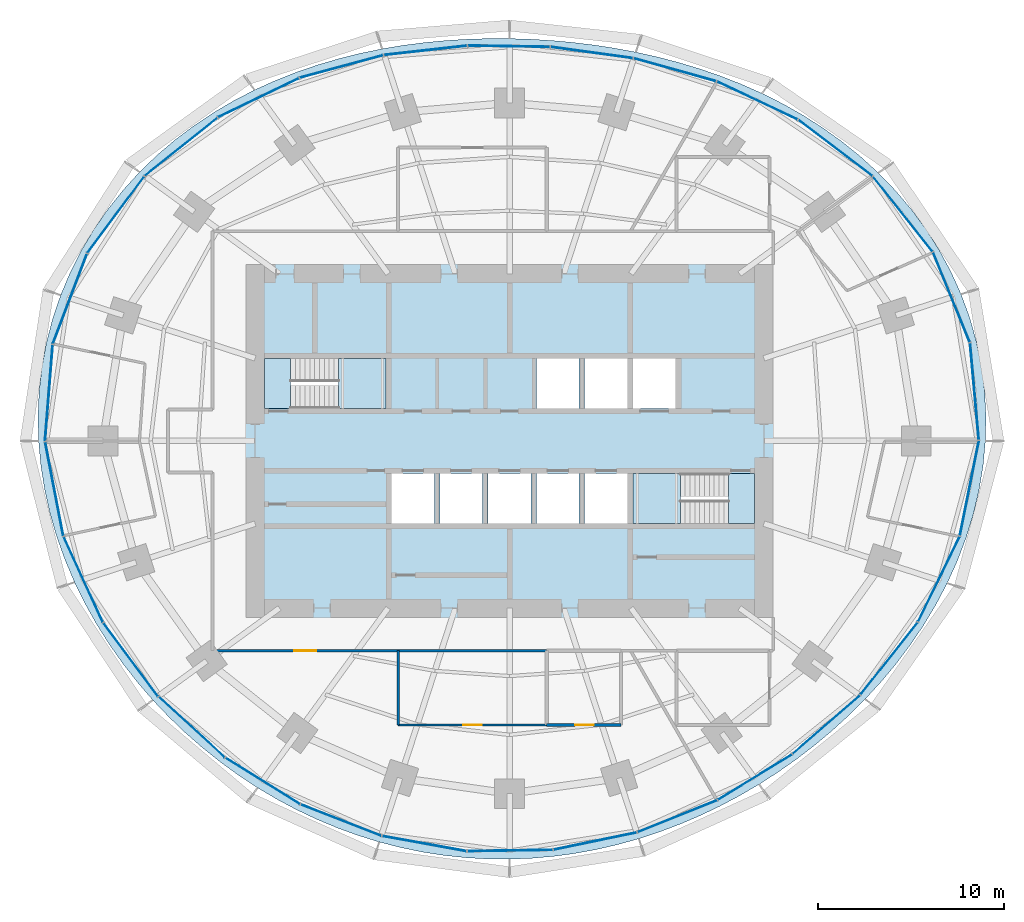
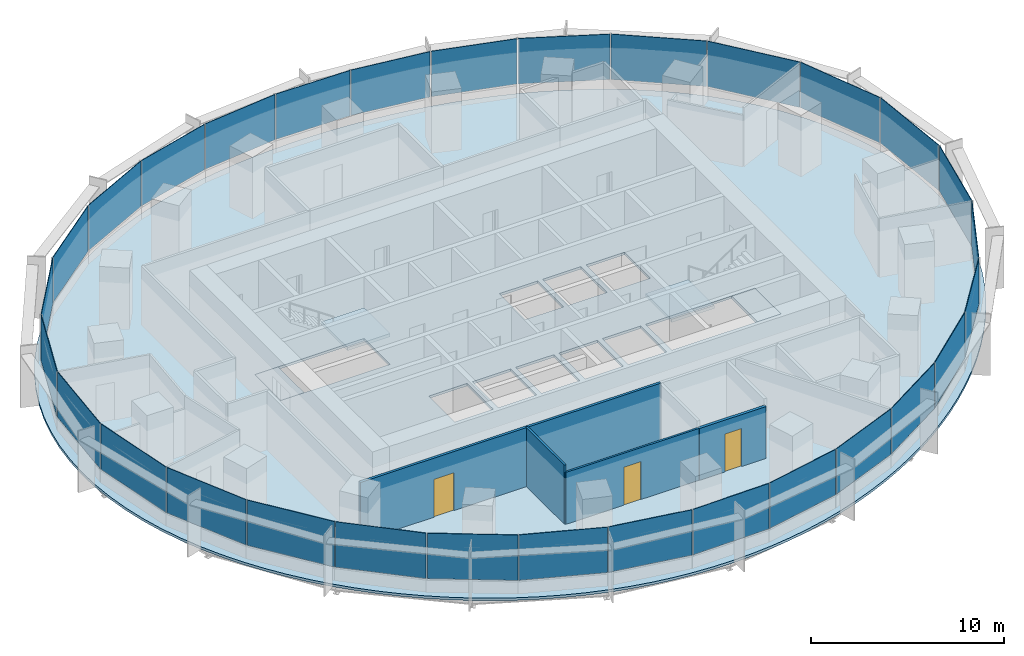
# One storey, part 9 of 14: 30 plates, 5 slabs, 4 walls, 3 doors, 3 openings, 8 elements without a shape of their own.
"""IFC4 building model written with IfcOpenShell, lengths in metres."""

from ifc_helpers import new_model, si_unit, direction, frame, frame_2d, origin, origin_2d, place, context, subcontext, project, spatial, polyline, rectangle, outline, extrude, material, layer, layer_set, type_object, element, fill, aggregate, save


model = new_model("IFC4")

# Units and contexts
model_context = context("Model", 3, precision=1e-05, world=origin(), true_north=direction((0.0, 1.0)))
body_context = subcontext(model_context, "Body", "Model", "MODEL_VIEW")
ifc_project = project(units=[si_unit("LENGTHUNIT", "METRE"), si_unit("AREAUNIT", "SQUARE_METRE"), si_unit("VOLUMEUNIT", "CUBIC_METRE"), si_unit("PLANEANGLEUNIT", "RADIAN"), si_unit("MASSUNIT", "GRAM", prefix="KILO")], contexts=[model_context])

# Site, building, storey
site_placement = place(None, origin())
site = spatial("IfcSite", under=ifc_project, at=site_placement, CompositionType="ELEMENT")
building_placement = place(site_placement, origin())
building = spatial("IfcBuilding", under=site, at=building_placement, Name="Marramba Exchange Tower", CompositionType="ELEMENT")
storey_placement = place(building_placement, frame((0.0, 0.0, 147.0)))
storey = spatial("IfcBuildingStorey", under=building, at=storey_placement, Name="L35", CompositionType="ELEMENT", Elevation=147.0)

# Slab
ifc_material_1 = material(Name="Concrete N40", Category="concrete")
ifc_layer_1 = layer(ifc_material_1, 0.159912109375)
ifc_layer_set_1 = layer_set([ifc_layer_1], Name="Composite floor slab 160")
slab_type_1 = type_object("IfcSlabType", Name="Composite floor slab 160", PredefinedType="FLOOR", material=ifc_layer_set_1)
slab_1_placement = place(storey_placement, frame((0.0, 0.0, -0.159912109375)))
element("IfcSlab", 1, at=slab_1_placement, inside=storey, type_object=slab_type_1, Name="Floor slab L35", PredefinedType="FLOOR", context=body_context, shape_type="SweptSolid", body=[
    extrude(outline(polyline([(25.632080078125, 0.0), (25.66064453125, 1.3447265625), (25.59033203125, 2.689697265625), (25.420166015625, 4.026123046875), (25.15087890625, 5.345947265625), (24.7841796875, 6.640869140625), (24.322998046875, 7.903076171875), (23.771484375, 9.125), (23.135009765625, 10.30029296875), (22.419677734375, 11.42333984375), (21.632080078125, 12.4892578125), (20.779541015625, 13.494384765625), (19.869384765625, 14.43603515625), (18.9091796875, 15.3125), (17.90625, 16.122802734375), (16.86767578125, 16.86767578125), (15.800048828125, 17.5478515625), (14.70947265625, 18.164794921875), (13.6015625, 18.720947265625), (12.48095703125, 19.218994140625), (11.3515625, 19.66162109375), (10.217041015625, 20.05224609375), (9.079833984375, 20.393798828125), (7.94189453125, 20.689453125), (6.804443359375, 20.942138671875), (5.668212890625, 21.154296875), (4.533447265625, 21.328369140625), (3.39990234375, 21.46630859375), (2.26708984375, 21.5693359375), (1.134033203125, 21.63818359375), (0.0, 21.673095703125), (-1.135986328125, 21.673828125), (-2.2744140625, 21.6396484375), (-3.416259765625, 21.5693359375), (-4.5615234375, 21.460693359375), (-5.71044921875, 21.31201171875), (-6.8623046875, 21.1201171875), (-8.01611328125, 20.8828125), (-9.170166015625, 20.5966796875), (-10.322509765625, 20.2587890625), (-11.4697265625, 19.8662109375), (-12.60888671875, 19.415771484375), (-13.7353515625, 18.905029296875), (-14.8447265625, 18.331787109375), (-15.931640625, 17.69384765625), (-16.989990234375, 16.989990234375), (-18.013916015625, 16.2197265625), (-18.996826171875, 15.38330078125), (-19.931884765625, 14.4814453125), (-20.8125, 13.515869140625), (-21.632080078125, 12.4892578125), (-22.384033203125, 11.4052734375), (-23.0625, 10.26806640625), (-23.661865234375, 9.0830078125), (-24.177734375, 7.855712890625), (-24.605712890625, 6.593017578125), (-24.943603515625, 5.302001953125), (-25.18896484375, 3.989501953125), (-25.341064453125, 2.663330078125), (-25.400390625, 1.3310546875), (-25.367919921875, 0.0), (-25.246337890625, -1.322998046875), (-25.038818359375, -2.631591796875), (-24.748779296875, -3.919921875), (-24.381103515625, -5.182373046875), (-23.940185546875, -6.414794921875), (-23.431396484375, -7.61328125), (-22.859130859375, -8.77490234375), (-22.22900390625, -9.89697265625), (-21.545166015625, -10.977783203125), (-20.81201171875, -12.015869140625), (-20.033935546875, -13.010009765625), (-19.2138671875, -13.959716796875), (-18.35546875, -14.86376953125), (-17.461181640625, -15.72216796875), (-16.53369140625, -16.53369140625), (-15.5751953125, -17.298095703125), (-14.587646484375, -18.014404296875), (-13.5732421875, -18.681884765625), (-12.533203125, -19.299560546875), (-11.4697265625, -19.8662109375), (-10.384765625, -20.381103515625), (-9.27978515625, -20.8427734375), (-8.157470703125, -21.250732421875), (-7.019287109375, -21.603271484375), (-5.8681640625, -21.900146484375), (-4.7060546875, -22.14013671875), (-3.53564453125, -22.322998046875), (-2.359375, -22.448486328125), (-1.179931640625, -22.516357421875), (0.0, -22.52685546875), (1.17822265625, -22.480712890625), (2.35205078125, -22.3779296875), (3.519287109375, -22.22021484375), (4.677978515625, -22.0078125), (5.825927734375, -21.742431640625), (6.96142578125, -21.425048828125), (8.0830078125, -21.05712890625), (9.189453125, -20.639892578125), (10.279296875, -20.17431640625), (11.3515625, -19.66162109375), (12.4052734375, -19.1025390625), (13.439453125, -18.497802734375), (14.45263671875, -17.847412109375), (15.44384765625, -17.152099609375), (16.411376953125, -16.411376953125), (17.353515625, -15.625244140625), (18.267822265625, -14.79296875), (19.1513671875, -13.914306640625), (20.000732421875, -12.98876953125), (20.81201171875, -12.015869140625), (21.580810546875, -10.995849609375), (22.301513671875, -9.92919921875), (22.96875, -8.81689453125), (23.57666015625, -7.660400390625), (24.11865234375, -6.462646484375), (24.588623046875, -5.2265625), (24.980224609375, -3.95654296875), (25.2880859375, -2.657958984375), (25.5068359375, -1.336669921875), (25.632080078125, 0.0)]), holes=[polyline([(1.449951171875, 1.75), (3.75, 1.75), (3.75, 4.449951171875), (1.449951171875, 4.449951171875), (1.449951171875, 1.75)]), polyline([(4.050048828125, 1.75), (6.35009765625, 1.75), (6.35009765625, 4.449951171875), (4.050048828125, 4.449951171875), (4.050048828125, 1.75)]), polyline([(-6.35009765625, -4.449951171875), (-4.050048828125, -4.449951171875), (-4.050048828125, -1.75), (-6.35009765625, -1.75), (-6.35009765625, -4.449951171875)]), polyline([(-3.75, -4.449951171875), (-1.449951171875, -4.449951171875), (-1.449951171875, -1.75), (-3.75, -1.75), (-3.75, -4.449951171875)]), polyline([(-1.14990234375, -4.449951171875), (1.14990234375, -4.449951171875), (1.14990234375, -1.75), (-1.14990234375, -1.75), (-1.14990234375, -4.449951171875)]), polyline([(1.449951171875, -4.449951171875), (3.75, -4.449951171875), (3.75, -1.75), (1.449951171875, -1.75), (1.449951171875, -4.449951171875)]), polyline([(4.050048828125, -4.449951171875), (6.35009765625, -4.449951171875), (6.35009765625, -1.75), (4.050048828125, -1.75), (4.050048828125, -4.449951171875)]), polyline([(6.64990234375, 1.75), (8.949951171875, 1.75), (8.949951171875, 4.449951171875), (6.64990234375, 4.449951171875), (6.64990234375, 1.75)]), polyline([(-13.199951171875, 1.75), (-6.64990234375, 1.75), (-6.64990234375, 4.449951171875), (-13.199951171875, 4.449951171875), (-13.199951171875, 1.75)]), polyline([(6.64990234375, -4.449951171875), (13.199951171875, -4.449951171875), (13.199951171875, -1.75), (6.64990234375, -1.75), (6.64990234375, -4.449951171875)])]), origin(), (0.0, 0.0, 1.0), 0.159912109375),
])

# Curtain wall, plates
ifc_material_2 = material(Name="Aluminium framing, bronze anodised", Category="aluminium")
curtain_wall_type = type_object("IfcCurtainWallType", Name="Office ribbon curtain wall", PredefinedType="USERDEFINED", material=ifc_material_2)
curtain_wall_1_placement = place(storey_placement, origin())
curtain_wall_1 = element("IfcCurtainWall", 2, at=curtain_wall_1_placement, inside=storey, type_object=curtain_wall_type, Name="Curtain wall CW4 L35 F01-F05", ObjectType="RIBBON CURTAIN WALL", PredefinedType="USERDEFINED")
ifc_material_3 = material(Name="Laminated double glazed unit 10.76 + 16 + 10.76, bronze tinted", Category="glass")
ifc_layer_2 = layer(ifc_material_3, 0.03759765625)
ifc_layer_set_2 = layer_set([ifc_layer_2], Name="Office ribbon curtain wall panel")
plate_type = type_object("IfcPlateType", Name="Office ribbon curtain wall panel", PredefinedType="CURTAIN_PANEL", material=ifc_layer_set_2)
plate_1_placement = place(storey_placement, frame((25.042724609375, 2.66650390625, 0.860107421875), z_axis=(0.0, 0.0, 1.0), x_axis=(-0.089412887889, 0.995994646311, 0.0)))
plate_1 = element("IfcPlate", 3, at=plate_1_placement, type_object=plate_type, Name="CW4 vision panel", PredefinedType="CURTAIN_PANEL", context=body_context, shape_type="SweptSolid", body=[
    extrude(rectangle(XDim=5.234375, YDim=0.03759765625, at=origin_2d()), origin(), (0.0, 0.0, 1.0), 2.8798828125),
])
plate_2_placement = place(storey_placement, frame((23.800537109375, 7.743408203125, 0.860107421875), z_axis=(0.0, 0.0, 1.0), x_axis=(-0.377821183171, 0.925878584668, 0.0)))
plate_2 = element("IfcPlate", 4, at=plate_2_placement, type_object=plate_type, Name="CW4 vision panel", PredefinedType="CURTAIN_PANEL", context=body_context, shape_type="SweptSolid", body=[
    extrude(rectangle(XDim=5.2158203125, YDim=0.03759765625, at=origin_2d()), origin(), (0.0, 0.0, 1.0), 2.8798828125),
])
plate_3_placement = place(storey_placement, frame((21.18212890625, 12.217529296875, 0.860107421875), z_axis=(0.0, 0.0, 1.0), x_axis=(-0.621312004611, 0.783563266703, 0.0)))
plate_3 = element("IfcPlate", 5, at=plate_3_placement, type_object=plate_type, Name="CW4 vision panel", PredefinedType="CURTAIN_PANEL", context=body_context, shape_type="SweptSolid", body=[
    extrude(rectangle(XDim=5.136962890625, YDim=0.03759765625, at=origin_2d()), origin(), (0.0, 0.0, 1.0), 2.8798828125),
])
plate_4_placement = place(storey_placement, frame((17.55224609375, 15.777099609375, 0.860107421875), z_axis=(0.0, 0.0, 1.0), x_axis=(-0.795971748366, 0.60533377223, 0.0)))
plate_4 = element("IfcPlate", 6, at=plate_4_placement, type_object=plate_type, Name="CW4 vision panel", PredefinedType="CURTAIN_PANEL", context=body_context, shape_type="SweptSolid", body=[
    extrude(rectangle(XDim=4.990966796875, YDim=0.03759765625, at=origin_2d()), origin(), (0.0, 0.0, 1.0), 2.8798828125),
])
plate_5_placement = place(storey_placement, frame((13.34423828125, 18.3359375, 0.860107421875), z_axis=(0.0, 0.0, 1.0), x_axis=(-0.904403137485, 0.426678995157, 0.0)))
plate_5 = element("IfcPlate", 7, at=plate_5_placement, type_object=plate_type, Name="CW4 vision panel", PredefinedType="CURTAIN_PANEL", context=body_context, shape_type="SweptSolid", body=[
    extrude(rectangle(XDim=4.793212890625, YDim=0.03759765625, at=origin_2d()), origin(), (0.0, 0.0, 1.0), 2.8798828125),
])
aggregate(curtain_wall_1, [plate_1, plate_2, plate_3, plate_4, plate_5])

curtain_wall_2_placement = place(storey_placement, origin())
curtain_wall_2 = element("IfcCurtainWall", 8, at=curtain_wall_2_placement, inside=storey, type_object=curtain_wall_type, Name="Curtain wall CW4 L35 F06-F10", ObjectType="RIBBON CURTAIN WALL", PredefinedType="USERDEFINED")
plate_6_placement = place(storey_placement, frame((8.907470703125, 19.991943359375, 0.860107421875), z_axis=(0.0, 0.0, 1.0), x_axis=(-0.963177845956, 0.268865090816, 0.0)))
plate_6 = element("IfcPlate", 9, at=plate_6_placement, type_object=plate_type, Name="CW4 vision panel", PredefinedType="CURTAIN_PANEL", context=body_context, shape_type="SweptSolid", body=[
    extrude(rectangle(XDim=4.591552734375, YDim=0.03759765625, at=origin_2d()), origin(), (0.0, 0.0, 1.0), 2.8798828125),
])
plate_7_placement = place(storey_placement, frame((4.43359375, 20.919189453125, 0.860107421875), z_axis=(0.0, 0.0, 1.0), x_axis=(-0.990738212841, 0.135785837319, 0.0)))
plate_7 = element("IfcPlate", 10, at=plate_7_placement, type_object=plate_type, Name="CW4 vision panel", PredefinedType="CURTAIN_PANEL", context=body_context, shape_type="SweptSolid", body=[
    extrude(rectangle(XDim=4.447509765625, YDim=0.03759765625, at=origin_2d()), origin(), (0.0, 0.0, 1.0), 2.8798828125),
])
plate_8_placement = place(storey_placement, frame((-0.03369140625, 21.2568359375, 0.860107421875), z_axis=(0.0, 0.0, 1.0), x_axis=(-0.999875869968, 0.01575578169, 0.0)))
plate_8 = element("IfcPlate", 11, at=plate_8_placement, type_object=plate_type, Name="CW4 vision panel", PredefinedType="CURTAIN_PANEL", context=body_context, shape_type="SweptSolid", body=[
    extrude(rectangle(XDim=4.408935546875, YDim=0.03759765625, at=origin_2d()), origin(), (0.0, 0.0, 1.0), 2.8798828125),
])
plate_9_placement = place(storey_placement, frame((-4.52587890625, 21.0361328125, 0.860107421875), z_axis=(0.0, 0.0, 1.0), x_axis=(-0.993823395532, -0.110973233233, 0.0)))
plate_9 = element("IfcPlate", 12, at=plate_9_placement, type_object=plate_type, Name="CW4 vision panel", PredefinedType="CURTAIN_PANEL", context=body_context, shape_type="SweptSolid", body=[
    extrude(rectangle(XDim=4.484375, YDim=0.03759765625, at=origin_2d()), origin(), (0.0, 0.0, 1.0), 2.8798828125),
])
plate_10_placement = place(storey_placement, frame((-9.053466796875, 20.16748046875, 0.860107421875), z_axis=(0.0, 0.0, 1.0), x_axis=(-0.965522047176, -0.260321294588, 0.0)))
plate_10 = element("IfcPlate", 13, at=plate_10_placement, type_object=plate_type, Name="CW4 vision panel", PredefinedType="CURTAIN_PANEL", context=body_context, shape_type="SweptSolid", body=[
    extrude(rectangle(XDim=4.642578125, YDim=0.03759765625, at=origin_2d()), origin(), (0.0, 0.0, 1.0), 2.8798828125),
])
aggregate(curtain_wall_2, [plate_6, plate_7, plate_8, plate_9, plate_10])

curtain_wall_3_placement = place(storey_placement, origin())
curtain_wall_3 = element("IfcCurtainWall", 14, at=curtain_wall_3_placement, inside=storey, type_object=curtain_wall_type, Name="Curtain wall CW4 L35 F11-F15", ObjectType="RIBBON CURTAIN WALL", PredefinedType="USERDEFINED")
plate_11_placement = place(storey_placement, frame((-13.52294921875, 18.4853515625, 0.860107421875), z_axis=(0.0, 0.0, 1.0), x_axis=(-0.900223739881, -0.435427626771, 0.0)))
plate_11 = element("IfcPlate", 15, at=plate_11_placement, type_object=plate_type, Name="CW4 vision panel", PredefinedType="CURTAIN_PANEL", context=body_context, shape_type="SweptSolid", body=[
    extrude(rectangle(XDim=4.83056640625, YDim=0.03759765625, at=origin_2d()), origin(), (0.0, 0.0, 1.0), 2.8798828125),
])
plate_12_placement = place(storey_placement, frame((-17.696533203125, 15.8359375, 0.860107421875), z_axis=(0.0, 0.0, 1.0), x_axis=(-0.78117833008, -0.624307950145, 0.0)))
plate_12 = element("IfcPlate", 16, at=plate_12_placement, type_object=plate_type, Name="CW4 vision panel", PredefinedType="CURTAIN_PANEL", context=body_context, shape_type="SweptSolid", body=[
    extrude(rectangle(XDim=4.998291015625, YDim=0.03759765625, at=origin_2d()), origin(), (0.0, 0.0, 1.0), 2.8798828125),
])
plate_13_placement = place(storey_placement, frame((-21.213623046875, 12.1767578125, 0.860107421875), z_axis=(0.0, 0.0, 1.0), x_axis=(-0.597703997504, -0.80171686484, 0.0)))
plate_13 = element("IfcPlate", 17, at=plate_13_placement, type_object=plate_type, Name="CW4 vision panel", PredefinedType="CURTAIN_PANEL", context=body_context, shape_type="SweptSolid", body=[
    extrude(rectangle(XDim=5.116455078125, YDim=0.03759765625, at=origin_2d()), origin(), (0.0, 0.0, 1.0), 2.8798828125),
])
plate_14_placement = place(storey_placement, frame((-23.6826171875, 7.6494140625, 0.860107421875), z_axis=(0.0, 0.0, 1.0), x_axis=(-0.354844468484, -0.934925346317, 0.0)))
plate_14 = element("IfcPlate", 18, at=plate_14_placement, type_object=plate_type, Name="CW4 vision panel", PredefinedType="CURTAIN_PANEL", context=body_context, shape_type="SweptSolid", body=[
    extrude(rectangle(XDim=5.177490234375, YDim=0.03759765625, at=origin_2d()), origin(), (0.0, 0.0, 1.0), 2.8798828125),
])
plate_15_placement = place(storey_placement, frame((-24.81201171875, 2.584716796875, 0.860107421875), z_axis=(0.0, 0.0, 1.0), x_axis=(-0.079459696383, -0.996838079455, 0.0)))
plate_15 = element("IfcPlate", 19, at=plate_15_placement, type_object=plate_type, Name="CW4 vision panel", PredefinedType="CURTAIN_PANEL", context=body_context, shape_type="SweptSolid", body=[
    extrude(rectangle(XDim=5.185791015625, YDim=0.03759765625, at=origin_2d()), origin(), (0.0, 0.0, 1.0), 2.8798828125),
])
aggregate(curtain_wall_3, [plate_11, plate_12, plate_13, plate_14, plate_15])

curtain_wall_4_placement = place(storey_placement, origin())
curtain_wall_4 = element("IfcCurtainWall", 20, at=curtain_wall_4_placement, inside=storey, type_object=curtain_wall_type, Name="Curtain wall CW4 L35 F16-F20", ObjectType="RIBBON CURTAIN WALL", PredefinedType="USERDEFINED")
plate_16_placement = place(storey_placement, frame((-24.522705078125, -2.584228515625, 0.860107421875), z_axis=(0.0, 0.0, 1.0), x_axis=(0.18822721487, -0.982125509078, 0.0)))
plate_16 = element("IfcPlate", 21, at=plate_16_placement, type_object=plate_type, Name="CW4 vision panel", PredefinedType="CURTAIN_PANEL", context=body_context, shape_type="SweptSolid", body=[
    extrude(rectangle(XDim=5.142578125, YDim=0.03759765625, at=origin_2d()), origin(), (0.0, 0.0, 1.0), 2.8798828125),
])
plate_17_placement = place(storey_placement, frame((-22.96142578125, -7.45947265625, 0.860107421875), z_axis=(0.0, 0.0, 1.0), x_axis=(0.416737848929, -0.909026713177, 0.0)))
plate_17 = element("IfcPlate", 22, at=plate_17_placement, type_object=plate_type, Name="CW4 vision panel", PredefinedType="CURTAIN_PANEL", context=body_context, shape_type="SweptSolid", body=[
    extrude(rectangle(XDim=5.0498046875, YDim=0.03759765625, at=origin_2d()), origin(), (0.0, 0.0, 1.0), 2.8798828125),
])
plate_18_placement = place(storey_placement, frame((-20.402099609375, -11.7783203125, 0.860107421875), z_axis=(0.0, 0.0, 1.0), x_axis=(0.597304697033, -0.802014400683, 0.0)))
plate_18 = element("IfcPlate", 23, at=plate_18_placement, type_object=plate_type, Name="CW4 vision panel", PredefinedType="CURTAIN_PANEL", context=body_context, shape_type="SweptSolid", body=[
    extrude(rectangle(XDim=4.926513671875, YDim=0.03759765625, at=origin_2d()), origin(), (0.0, 0.0, 1.0), 2.8798828125),
])
plate_19_placement = place(storey_placement, frame((-17.11376953125, -15.416259765625, 0.860107421875), z_axis=(0.0, 0.0, 1.0), x_axis=(0.737821886077, -0.674995455115, 0.0)))
plate_19 = element("IfcPlate", 24, at=plate_19_placement, type_object=plate_type, Name="CW4 vision panel", PredefinedType="CURTAIN_PANEL", context=body_context, shape_type="SweptSolid", body=[
    extrude(rectangle(XDim=4.80517578125, YDim=0.03759765625, at=origin_2d()), origin(), (0.0, 0.0, 1.0), 2.8798828125),
])
plate_20_placement = place(storey_placement, frame((-13.29248046875, -18.31640625, 0.860107421875), z_axis=(0.0, 0.0, 1.0), x_axis=(0.84835459748, -0.52942844364, 0.0)))
plate_20 = element("IfcPlate", 25, at=plate_20_placement, type_object=plate_type, Name="CW4 vision panel", PredefinedType="CURTAIN_PANEL", context=body_context, shape_type="SweptSolid", body=[
    extrude(rectangle(XDim=4.70947265625, YDim=0.03759765625, at=origin_2d()), origin(), (0.0, 0.0, 1.0), 2.8798828125),
])
aggregate(curtain_wall_4, [plate_16, plate_17, plate_18, plate_19, plate_20])

curtain_wall_5_placement = place(storey_placement, origin())
curtain_wall_5 = element("IfcCurtainWall", 26, at=curtain_wall_5_placement, inside=storey, type_object=curtain_wall_type, Name="Curtain wall CW4 L35 F21-F25", ObjectType="RIBBON CURTAIN WALL", PredefinedType="USERDEFINED")
plate_21_placement = place(storey_placement, frame((-9.074951171875, -20.427734375, 0.860107421875), z_axis=(0.0, 0.0, 1.0), x_axis=(0.931818390344, -0.36292490603, 0.0)))
plate_21 = element("IfcPlate", 27, at=plate_21_placement, type_object=plate_type, Name="CW4 vision panel", PredefinedType="CURTAIN_PANEL", context=body_context, shape_type="SweptSolid", body=[
    extrude(rectangle(XDim=4.644287109375, YDim=0.03759765625, at=origin_2d()), origin(), (0.0, 0.0, 1.0), 2.8798828125),
])
plate_22_placement = place(storey_placement, frame((-4.58740234375, -21.690673828125, 0.860107421875), z_axis=(0.0, 0.0, 1.0), x_axis=(0.984031865834, -0.177992379115, 0.0)))
plate_22 = element("IfcPlate", 28, at=plate_22_placement, type_object=plate_type, Name="CW4 vision panel", PredefinedType="CURTAIN_PANEL", context=body_context, shape_type="SweptSolid", body=[
    extrude(rectangle(XDim=4.602783203125, YDim=0.03759765625, at=origin_2d()), origin(), (0.0, 0.0, 1.0), 2.8798828125),
])
plate_23_placement = place(storey_placement, frame((0.0263671875, -22.064697265625, 0.860107421875), z_axis=(0.0, 0.0, 1.0), x_axis=(0.999884797709, 0.015178646521, 0.0)))
plate_23 = element("IfcPlate", 29, at=plate_23_placement, type_object=plate_type, Name="CW4 vision panel", PredefinedType="CURTAIN_PANEL", context=body_context, shape_type="SweptSolid", body=[
    extrude(rectangle(XDim=4.578857421875, YDim=0.03759765625, at=origin_2d()), origin(), (0.0, 0.0, 1.0), 2.8798828125),
])
plate_24_placement = place(storey_placement, frame((4.61376953125, -21.554931640625, 0.860107421875), z_axis=(0.0, 0.0, 1.0), x_axis=(0.979310199794, 0.202364850159, 0.0)))
plate_24 = element("IfcPlate", 30, at=plate_24_placement, type_object=plate_type, Name="CW4 vision panel", PredefinedType="CURTAIN_PANEL", context=body_context, shape_type="SweptSolid", body=[
    extrude(rectangle(XDim=4.57373046875, YDim=0.03759765625, at=origin_2d()), origin(), (0.0, 0.0, 1.0), 2.8798828125),
])
plate_25_placement = place(storey_placement, frame((9.042724609375, -20.214111328125, 0.860107421875), z_axis=(0.0, 0.0, 1.0), x_axis=(0.928148916059, 0.372209067082, 0.0)))
plate_25 = element("IfcPlate", 31, at=plate_25_placement, type_object=plate_type, Name="CW4 vision panel", PredefinedType="CURTAIN_PANEL", context=body_context, shape_type="SweptSolid", body=[
    extrude(rectangle(XDim=4.59814453125, YDim=0.03759765625, at=origin_2d()), origin(), (0.0, 0.0, 1.0), 2.8798828125),
])
aggregate(curtain_wall_5, [plate_21, plate_22, plate_23, plate_24, plate_25])

curtain_wall_6_placement = place(storey_placement, origin())
curtain_wall_6 = element("IfcCurtainWall", 32, at=curtain_wall_6_placement, inside=storey, type_object=curtain_wall_type, Name="Curtain wall CW4 L35 F26-F30", ObjectType="RIBBON CURTAIN WALL", PredefinedType="USERDEFINED")
plate_26_placement = place(storey_placement, frame((13.21875, -18.109619140625, 0.860107421875), z_axis=(0.0, 0.0, 1.0), x_axis=(0.853109114492, 0.521732535664, 0.0)))
plate_26 = element("IfcPlate", 33, at=plate_26_placement, type_object=plate_type, Name="CW4 vision panel", PredefinedType="CURTAIN_PANEL", context=body_context, shape_type="SweptSolid", body=[
    extrude(rectangle(XDim=4.66748046875, YDim=0.03759765625, at=origin_2d()), origin(), (0.0, 0.0, 1.0), 2.8798828125),
])
plate_27_placement = place(storey_placement, frame((17.0615234375, -15.280517578125, 0.860107421875), z_axis=(0.0, 0.0, 1.0), x_axis=(0.754385506384, 0.656431647438, 0.0)))
plate_27 = element("IfcPlate", 34, at=plate_27_placement, type_object=plate_type, Name="CW4 vision panel", PredefinedType="CURTAIN_PANEL", context=body_context, shape_type="SweptSolid", body=[
    extrude(rectangle(XDim=4.789794921875, YDim=0.03759765625, at=origin_2d()), origin(), (0.0, 0.0, 1.0), 2.8798828125),
])
plate_28_placement = place(storey_placement, frame((20.443603515625, -11.724365234375, 0.860107421875), z_axis=(0.0, 0.0, 1.0), x_axis=(0.621807472329, 0.783170139469, 0.0)))
plate_28 = element("IfcPlate", 35, at=plate_28_placement, type_object=plate_type, Name="CW4 vision panel", PredefinedType="CURTAIN_PANEL", context=body_context, shape_type="SweptSolid", body=[
    extrude(rectangle(XDim=4.947265625, YDim=0.03759765625, at=origin_2d()), origin(), (0.0, 0.0, 1.0), 2.8798828125),
])
plate_29_placement = place(storey_placement, frame((23.127197265625, -7.443359375, 0.860107421875), z_axis=(0.0, 0.0, 1.0), x_axis=(0.439086342308, 0.89844486976, 0.0)))
plate_29 = element("IfcPlate", 36, at=plate_29_placement, type_object=plate_type, Name="CW4 vision panel", PredefinedType="CURTAIN_PANEL", context=body_context, shape_type="SweptSolid", body=[
    extrude(rectangle(XDim=5.096923828125, YDim=0.03759765625, at=origin_2d()), origin(), (0.0, 0.0, 1.0), 2.8798828125),
])
plate_30_placement = place(storey_placement, frame((24.77001953125, -2.54736328125, 0.860107421875), z_axis=(0.0, 0.0, 1.0), x_axis=(0.197048511267, 0.980393739376, 0.0)))
plate_30 = element("IfcPlate", 37, at=plate_30_placement, type_object=plate_type, Name="CW4 vision panel", PredefinedType="CURTAIN_PANEL", context=body_context, shape_type="SweptSolid", body=[
    extrude(rectangle(XDim=5.19677734375, YDim=0.03759765625, at=origin_2d()), origin(), (0.0, 0.0, 1.0), 2.8798828125),
])
aggregate(curtain_wall_6, [plate_26, plate_27, plate_28, plate_29, plate_30])

# Stair, slabs
ifc_material_4 = material(Name="Concrete N40 (40 MPa)", Category="concrete")
stair_type_1 = type_object("IfcStairType", Name="Exit stair ST1 3900 x 1250", PredefinedType="HALF_TURN_STAIR", material=ifc_material_4)
stair_1_placement = place(storey_placement, origin())
stair_1 = element("IfcStair", 38, at=stair_1_placement, inside=storey, type_object=stair_type_1, Name="Exit stair ST1 L35", PredefinedType="HALF_TURN_STAIR")
ifc_layer_3 = layer(ifc_material_4, 0.199951171875)
ifc_layer_set_3 = layer_set([ifc_layer_3], Name="Stair landing 200")
slab_type_2 = type_object("IfcSlabType", Name="Stair landing 200", PredefinedType="LANDING", material=ifc_layer_set_3)
slab_2_placement = place(storey_placement, frame((0.0, 0.0, -0.199951171875)))
slab_2 = element("IfcSlab", 39, at=slab_2_placement, type_object=slab_type_2, Name="ST1 landing 1", PredefinedType="LANDING", context=body_context, shape_type="SweptSolid", body=[
    extrude(outline(polyline([(-13.199951171875, 1.75), (-11.800048828125, 1.75), (-11.800048828125, 4.449951171875), (-13.199951171875, 4.449951171875), (-13.199951171875, 1.75)])), origin(), (0.0, 0.0, 1.0), 0.199951171875),
])
slab_3_placement = place(storey_placement, frame((0.0, 0.0, 1.75)))
slab_3 = element("IfcSlab", 40, at=slab_3_placement, type_object=slab_type_2, Name="ST1 landing 2", PredefinedType="LANDING", context=body_context, shape_type="SweptSolid", body=[
    extrude(outline(polyline([(-9.199951171875, 1.75), (-6.64990234375, 1.75), (-6.64990234375, 4.449951171875), (-9.199951171875, 4.449951171875), (-9.199951171875, 1.75)])), origin(), (0.0, 0.0, 1.0), 0.199951171875),
])
aggregate(stair_1, [slab_2, slab_3])

stair_type_2 = type_object("IfcStairType", Name="Exit stair ST2 3900 x 1250", PredefinedType="HALF_TURN_STAIR", material=ifc_material_4)
stair_2_placement = place(storey_placement, origin())
stair_2 = element("IfcStair", 41, at=stair_2_placement, inside=storey, type_object=stair_type_2, Name="Exit stair ST2 L35", PredefinedType="HALF_TURN_STAIR")
slab_4_placement = place(storey_placement, frame((0.0, 0.0, -0.199951171875)))
slab_4 = element("IfcSlab", 42, at=slab_4_placement, type_object=slab_type_2, Name="ST2 landing 1", PredefinedType="LANDING", context=body_context, shape_type="SweptSolid", body=[
    extrude(outline(polyline([(11.800048828125, -4.449951171875), (13.199951171875, -4.449951171875), (13.199951171875, -1.75), (11.800048828125, -1.75), (11.800048828125, -4.449951171875)])), origin(), (0.0, 0.0, 1.0), 0.199951171875),
])
slab_5_placement = place(storey_placement, frame((0.0, 0.0, 1.75)))
slab_5 = element("IfcSlab", 43, at=slab_5_placement, type_object=slab_type_2, Name="ST2 landing 2", PredefinedType="LANDING", context=body_context, shape_type="SweptSolid", body=[
    extrude(outline(polyline([(6.64990234375, -4.449951171875), (9.199951171875, -4.449951171875), (9.199951171875, -1.75), (6.64990234375, -1.75), (6.64990234375, -4.449951171875)])), origin(), (0.0, 0.0, 1.0), 0.199951171875),
])
aggregate(stair_2, [slab_4, slab_5])

# Wall, opening, door
ifc_material_5 = material(Name="Plasterboard on staggered double steel studs, acoustic insulation", Category="steel")
ifc_layer_4 = layer(ifc_material_5, 0.169921875)
ifc_layer_set_4 = layer_set([ifc_layer_4], Name="Acoustic partition 170")
wall_type_1 = type_object("IfcWallType", Name="Acoustic partition 170", PredefinedType="PARTITIONING", material=ifc_layer_set_4)
wall_1_placement = place(storey_placement, frame((2.0, -15.300048828125, 0.0), z_axis=(0.0, 0.0, 1.0), x_axis=(1.0, 0.0, 0.0)))
wall_1 = element("IfcWall", 44, at=wall_1_placement, inside=storey, type_object=wall_type_1, Name="Acoustic partition L35 09", PredefinedType="PARTITIONING", context=body_context, shape_type="SweptSolid", body=[
    extrude(rectangle(XDim=4.0, YDim=0.169921875, at=frame_2d((2.0, 0.0))), origin(), (0.0, 0.0, 1.0), 3.285888671875),
])
opening_1_placement = place(wall_1_placement, frame((1.52587890625, 0.0, 0.0)))
opening_1 = element("IfcOpeningElement", 45, at=opening_1_placement, cuts=wall_1, Name="Opening D9", PredefinedType="OPENING", context=body_context, shape_type="SweptSolid", body=[
    extrude(rectangle(XDim=1.0, YDim=2.39990234375, at=frame_2d((0.5, 1.199951171875))), frame((0.0, 0.094970703125, 0.0), z_axis=(0.0, -1.0, 0.0), x_axis=(1.0, 0.0, 0.0)), (0.0, 0.0, 1.0), 0.18994140625),
])
ifc_material_6 = material(Name="Timber door", Category="wood")
door_type_1 = type_object("IfcDoorType", Name="Room door 1000x2400", OperationType="SINGLE_SWING_LEFT", PredefinedType="DOOR", material=ifc_material_6)
door_1_placement = place(opening_1_placement, origin())
door_1 = element("IfcDoor", 46, at=door_1_placement, inside=storey, type_object=door_type_1, Name="D9 Interview Room L35", OperationType="SINGLE_SWING_RIGHT", OverallHeight=2.39990234375, OverallWidth=1.0, PredefinedType="DOOR", context=body_context, shape_type="SweptSolid", body=[
    extrude(rectangle(XDim=1.0, YDim=2.39990234375, at=frame_2d((0.5, 1.199951171875))), frame((0.0, 0.02490234375, 0.0), z_axis=(0.0, -1.0, 0.0), x_axis=(1.0, 0.0, 0.0)), (0.0, 0.0, 1.0), 0.050048828125),
])
fill(opening_1, door_1)

# Wall
ifc_material_7 = material(Name="Plasterboard on steel studs", Category="steel")
ifc_layer_5 = layer(ifc_material_7, 0.1201171875)
ifc_layer_set_5 = layer_set([ifc_layer_5], Name="Partition 120")
wall_type_2 = type_object("IfcWallType", Name="Partition 120", PredefinedType="PARTITIONING", material=ifc_layer_set_5)
wall_2_placement = place(storey_placement, frame((-6.0, -11.300048828125, 0.0), z_axis=(0.0, 0.0, 1.0), x_axis=(0.0, -1.0, 0.0)))
element("IfcWall", 47, at=wall_2_placement, inside=storey, type_object=wall_type_2, Name="Partition L35 06", PredefinedType="PARTITIONING", context=body_context, shape_type="SweptSolid", body=[
    extrude(rectangle(XDim=4.0, YDim=0.1201171875, at=frame_2d((2.0, 0.0))), origin(), (0.0, 0.0, 1.0), 3.739990234375),
])

# Wall, opening, door
wall_3_placement = place(storey_placement, frame((-6.0, -15.300048828125, 0.0), z_axis=(0.0, 0.0, 1.0), x_axis=(1.0, 0.0, 0.0)))
wall_3 = element("IfcWall", 48, at=wall_3_placement, inside=storey, type_object=wall_type_2, Name="Partition L35 07", PredefinedType="PARTITIONING", context=body_context, shape_type="SweptSolid", body=[
    extrude(rectangle(XDim=8.0, YDim=0.1201171875, at=frame_2d((4.0, 0.0))), origin(), (0.0, 0.0, 1.0), 3.285888671875),
])
opening_2_placement = place(wall_3_placement, frame((3.5, 0.0, 0.0)))
opening_2 = element("IfcOpeningElement", 49, at=opening_2_placement, cuts=wall_3, Name="Opening D9", PredefinedType="OPENING", context=body_context, shape_type="SweptSolid", body=[
    extrude(rectangle(XDim=1.0, YDim=2.39990234375, at=frame_2d((0.5, 1.199951171875))), frame((0.0, 0.070068359375, 0.0), z_axis=(0.0, -1.0, 0.0), x_axis=(1.0, 0.0, 0.0)), (0.0, 0.0, 1.0), 0.14013671875),
])
door_2_placement = place(opening_2_placement, origin())
door_2 = element("IfcDoor", 50, at=door_2_placement, inside=storey, type_object=door_type_1, Name="D9 Pantry L35", OperationType="SINGLE_SWING_RIGHT", OverallHeight=2.39990234375, OverallWidth=1.0, PredefinedType="DOOR", context=body_context, shape_type="SweptSolid", body=[
    extrude(rectangle(XDim=1.0, YDim=2.39990234375, at=frame_2d((0.5, 1.199951171875))), frame((0.0, 0.02490234375, 0.0), z_axis=(0.0, -1.0, 0.0), x_axis=(1.0, 0.0, 0.0)), (0.0, 0.0, 1.0), 0.050048828125),
])
fill(opening_2, door_2)

ifc_material_8 = material(Name="Fire-rated plasterboard on steel studs, acoustic insulation", Category="steel")
ifc_layer_6 = layer(ifc_material_8, 0.14990234375)
ifc_layer_set_6 = layer_set([ifc_layer_6], Name="Tenancy wall 150")
wall_type_3 = type_object("IfcWallType", Name="Tenancy wall 150", PredefinedType="PARTITIONING", material=ifc_layer_set_6)
wall_4_placement = place(storey_placement, frame((-16.0, -11.300048828125, 0.0), z_axis=(0.0, 0.0, 1.0), x_axis=(1.0, 0.0, 0.0)))
wall_4 = element("IfcWall", 51, at=wall_4_placement, inside=storey, type_object=wall_type_3, Name="Tenancy wall L35 05", PredefinedType="PARTITIONING", context=body_context, shape_type="SweptSolid", body=[
    extrude(rectangle(XDim=18.0, YDim=0.14990234375, at=frame_2d((9.0, 0.0))), origin(), (0.0, 0.0, 1.0), 3.739990234375),
])
opening_3_placement = place(wall_4_placement, frame((4.39990234375, 0.0, 0.0)))
opening_3 = element("IfcOpeningElement", 52, at=opening_3_placement, cuts=wall_4, Name="Opening D13", PredefinedType="OPENING", context=body_context, shape_type="SweptSolid", body=[
    extrude(rectangle(XDim=1.199951171875, YDim=2.39990234375, at=frame_2d((0.60009765625, 1.199951171875))), frame((0.0, 0.0849609375, 0.0), z_axis=(0.0, -1.0, 0.0), x_axis=(1.0, 0.0, 0.0)), (0.0, 0.0, 1.0), 0.169921875),
])
ifc_material_9 = material(Name="Steel-framed door", Category="steel")
door_type_2 = type_object("IfcDoorType", Name="Tenancy entry door 1200x2400", OperationType="SINGLE_SWING_LEFT", PredefinedType="DOOR", material=ifc_material_9)
door_3_placement = place(opening_3_placement, origin())
door_3 = element("IfcDoor", 53, at=door_3_placement, inside=storey, type_object=door_type_2, Name="D13 Office 2 L35", OperationType="SINGLE_SWING_LEFT", OverallHeight=2.39990234375, OverallWidth=1.199951171875, PredefinedType="DOOR", context=body_context, shape_type="SweptSolid", body=[
    extrude(rectangle(XDim=1.199951171875, YDim=2.39990234375, at=frame_2d((0.60009765625, 1.199951171875))), frame((0.0, 0.02490234375, 0.0), z_axis=(0.0, -1.0, 0.0), x_axis=(1.0, 0.0, 0.0)), (0.0, 0.0, 1.0), 0.050048828125),
])
fill(opening_3, door_3)

save(model, "model.ifc")
